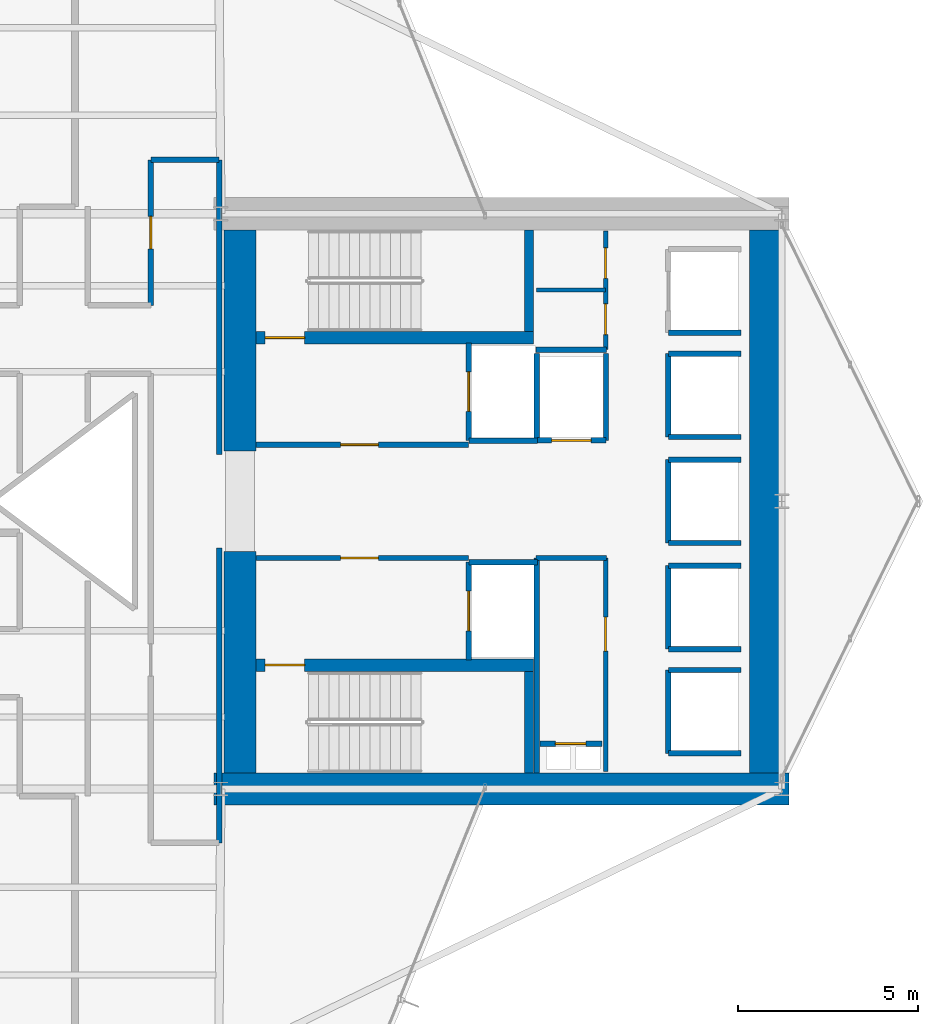
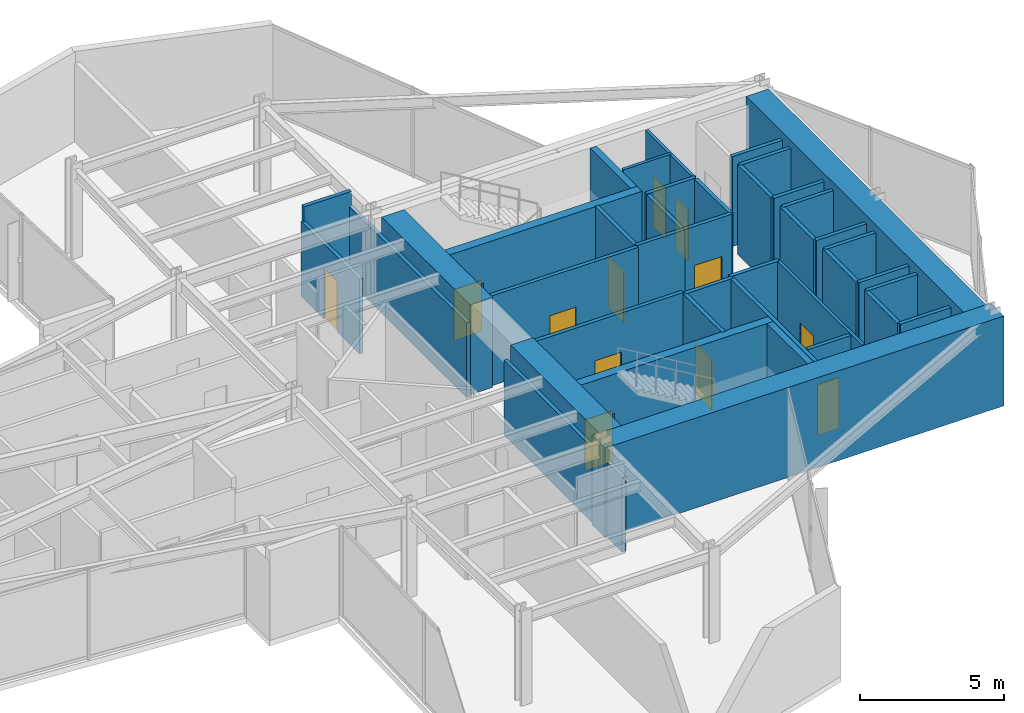
# One storey, part 27 of 29: 41 walls, 12 doors, 12 openings.
"""IFC4 building model written with IfcOpenShell, lengths in metres."""

from ifc_helpers import new_model, si_unit, direction, frame, frame_2d, origin, place, context, subcontext, project, spatial, rectangle, extrude, material, layer, layer_set, type_object, element, fill, save


model = new_model("IFC4")

# Units and contexts
model_context = context("Model", 3, precision=1e-05, world=origin(), true_north=direction((0.0, 1.0)))
body_context = subcontext(model_context, "Body", "Model", "MODEL_VIEW")
ifc_project = project(units=[si_unit("LENGTHUNIT", "METRE"), si_unit("AREAUNIT", "SQUARE_METRE"), si_unit("VOLUMEUNIT", "CUBIC_METRE"), si_unit("PLANEANGLEUNIT", "RADIAN"), si_unit("MASSUNIT", "GRAM", prefix="KILO")], contexts=[model_context])

# Site, building, storey
site_placement = place(None, origin())
site = spatial("IfcSite", under=ifc_project, at=site_placement, CompositionType="ELEMENT")
building_placement = place(site_placement, origin())
building = spatial("IfcBuilding", under=site, at=building_placement, Name="Veymaron Broadcast Tower", CompositionType="ELEMENT")
storey_placement = place(building_placement, frame((0.0, 0.0, 62.10009765625)))
storey = spatial("IfcBuildingStorey", under=building, at=storey_placement, Name="L13", CompositionType="ELEMENT", Elevation=62.10009765625)

# Wall, opening, door
ifc_material_1 = material(Name="Gypsum fireboard and steel stud framing", Category="steel")
ifc_layer_1 = layer(ifc_material_1, 0.14990234375)
ifc_layer_set_1 = layer_set([ifc_layer_1], Name="Gypsum fireboard and steel stud framing")
wall_type_1 = type_object("IfcWallType", Name="WALL-FIRE-150", PredefinedType="PARTITIONING", material=ifc_layer_set_1)
wall_1_placement = place(storey_placement, frame((39.97998046875, 25.574951171875, 0.0), z_axis=(0.0, 0.0, 1.0), x_axis=(1.0, 0.0, 0.0)))
wall_1 = element("IfcWall", 1, at=wall_1_placement, inside=storey, type_object=wall_type_1, Name="L13 partition IW-L13-FFLN-S", PredefinedType="PARTITIONING", context=body_context, shape_type="SweptSolid", body=[
    extrude(rectangle(XDim=5.89990234375, YDim=0.14990234375, at=frame_2d((2.949951171875, 0.0))), origin(), (0.0, 0.0, 1.0), 3.809814453125),
])
opening_1_placement = place(wall_1_placement, frame((2.35009765625, 0.0, 0.0)))
opening_1 = element("IfcOpeningElement", 2, at=opening_1_placement, cuts=wall_1, Name="Opening ID-FL1", PredefinedType="OPENING", context=body_context, shape_type="SweptSolid", body=[
    extrude(rectangle(XDim=1.050048828125, YDim=2.14990234375, at=frame_2d((0.52490234375, 1.074951171875))), frame((0.0, 0.0849609375, 0.0), z_axis=(0.0, -1.0, 0.0), x_axis=(1.0, 0.0, 0.0)), (0.0, 0.0, 1.0), 0.169921875),
])
ifc_material_2 = material(Name="Fire-rated painted hollow steel ASTM A653", Category="steel")
door_type_1 = type_object("IfcDoorType", Name="DOOR-FIRE-1050", OperationType="NOTDEFINED", PredefinedType="DOOR", material=ifc_material_2)
door_1_placement = place(opening_1_placement, origin())
door_1 = element("IfcDoor", 3, at=door_1_placement, inside=storey, type_object=door_type_1, Name="L13 door DR-L13-FFLN", OperationType="SINGLE_SWING_LEFT", OverallHeight=2.14990234375, OverallWidth=1.050048828125, PredefinedType="DOOR", context=body_context, shape_type="SweptSolid", body=[
    extrude(rectangle(XDim=1.050048828125, YDim=2.14990234375, at=frame_2d((0.52490234375, 1.074951171875))), frame((0.0, 0.02490234375, 0.0), z_axis=(0.0, -1.0, 0.0), x_axis=(1.0, 0.0, 0.0)), (0.0, 0.0, 1.0), 0.050048828125),
])
fill(opening_1, door_1)

wall_2_placement = place(storey_placement, frame((39.97998046875, 22.425048828125, 0.0), z_axis=(0.0, 0.0, 1.0), x_axis=(1.0, 0.0, 0.0)))
wall_2 = element("IfcWall", 4, at=wall_2_placement, inside=storey, type_object=wall_type_1, Name="L13 partition IW-L13-FFLS-N", PredefinedType="PARTITIONING", context=body_context, shape_type="SweptSolid", body=[
    extrude(rectangle(XDim=5.89990234375, YDim=0.14990234375, at=frame_2d((2.949951171875, 0.0))), origin(), (0.0, 0.0, 1.0), 3.809814453125),
])
opening_2_placement = place(wall_2_placement, frame((2.35009765625, 0.0, 0.0)))
opening_2 = element("IfcOpeningElement", 5, at=opening_2_placement, cuts=wall_2, Name="Opening ID-FL1", PredefinedType="OPENING", context=body_context, shape_type="SweptSolid", body=[
    extrude(rectangle(XDim=1.050048828125, YDim=2.14990234375, at=frame_2d((0.52490234375, 1.074951171875))), frame((0.0, 0.0849609375, 0.0), z_axis=(0.0, -1.0, 0.0), x_axis=(1.0, 0.0, 0.0)), (0.0, 0.0, 1.0), 0.169921875),
])
door_2_placement = place(opening_2_placement, frame((1.050048828125, 0.0, 0.0), z_axis=(0.0, 0.0, 1.0), x_axis=(-1.0, 0.0, 0.0)))
door_2 = element("IfcDoor", 6, at=door_2_placement, inside=storey, type_object=door_type_1, Name="L13 door DR-L13-FFLS", OperationType="SINGLE_SWING_RIGHT", OverallHeight=2.14990234375, OverallWidth=1.050048828125, PredefinedType="DOOR", context=body_context, shape_type="SweptSolid", body=[
    extrude(rectangle(XDim=1.050048828125, YDim=2.14990234375, at=frame_2d((0.52490234375, 1.074951171875))), frame((0.0, 0.02490234375, 0.0), z_axis=(0.0, -1.0, 0.0), x_axis=(1.0, 0.0, 0.0)), (0.0, 0.0, 1.0), 0.050048828125),
])
fill(opening_2, door_2)

wall_3_placement = place(storey_placement, frame((45.89501953125, 25.68994140625, 0.0), z_axis=(0.0, 0.0, 1.0), x_axis=(0.0, 1.0, 0.0)))
wall_3 = element("IfcWall", 7, at=wall_3_placement, inside=storey, type_object=wall_type_1, Name="L13 partition IW-L13-SHW-FFL-1", PredefinedType="PARTITIONING", context=body_context, shape_type="SweptSolid", body=[
    extrude(rectangle(XDim=2.719970703125, YDim=0.14990234375, at=frame_2d((1.35986328125, 0.0))), origin(), (0.0, 0.0, 1.0), 3.809814453125),
])
opening_3_placement = place(wall_3_placement, frame((0.81005859375, 0.0, 0.0)))
opening_3 = element("IfcOpeningElement", 8, at=opening_3_placement, cuts=wall_3, Name="Opening LD", PredefinedType="OPENING", context=body_context, shape_type="SweptSolid", body=[
    extrude(rectangle(XDim=1.10009765625, YDim=2.14990234375, at=frame_2d((0.550048828125, 1.074951171875))), frame((0.0, 0.0849609375, 0.0), z_axis=(0.0, -1.0, 0.0), x_axis=(1.0, 0.0, 0.0)), (0.0, 0.0, 1.0), 0.169921875),
])
ifc_material_3 = material(Name="Brushed stainless steel AISI 304", Category="steel")
door_type_2 = type_object("IfcDoorType", Name="DOOR-LIFT-1100", OperationType="DOUBLE_DOOR_SLIDING", PredefinedType="DOOR", material=ifc_material_3)
door_3_placement = place(opening_3_placement, frame((1.10009765625, 0.0, 0.0), z_axis=(0.0, 0.0, 1.0), x_axis=(-1.0, 0.0, 0.0)))
door_3 = element("IfcDoor", 9, at=door_3_placement, inside=storey, type_object=door_type_2, Name="L13 door LD-L13-FFL-1", OperationType="DOUBLE_DOOR_SLIDING", OverallHeight=2.14990234375, OverallWidth=1.10009765625, PredefinedType="DOOR", context=body_context, shape_type="SweptSolid", body=[
    extrude(rectangle(XDim=1.10009765625, YDim=2.14990234375, at=frame_2d((0.550048828125, 1.074951171875))), frame((0.0, 0.02490234375, 0.0), z_axis=(0.0, -1.0, 0.0), x_axis=(1.0, 0.0, 0.0)), (0.0, 0.0, 1.0), 0.050048828125),
])
fill(opening_3, door_3)

# Wall
wall_4_placement = place(storey_placement, frame((45.89501953125, 25.68994140625, 0.0), z_axis=(0.0, 0.0, 1.0), x_axis=(1.0, 0.0, 0.0)))
element("IfcWall", 10, at=wall_4_placement, inside=storey, type_object=wall_type_1, Name="L13 partition IW-L13-SHS-FFL-1", PredefinedType="PARTITIONING", context=body_context, shape_type="SweptSolid", body=[
    extrude(rectangle(XDim=1.9150390625, YDim=0.14990234375, at=frame_2d((0.95751953125, 0.0))), origin(), (0.0, 0.0, 1.0), 3.809814453125),
])

# Wall, opening, door
wall_5_placement = place(storey_placement, frame((45.89501953125, 19.590087890625, 0.0), z_axis=(0.0, 0.0, 1.0), x_axis=(0.0, 1.0, 0.0)))
wall_5 = element("IfcWall", 11, at=wall_5_placement, inside=storey, type_object=wall_type_1, Name="L13 partition IW-L13-SHW-FFL-2", PredefinedType="PARTITIONING", context=body_context, shape_type="SweptSolid", body=[
    extrude(rectangle(XDim=2.719970703125, YDim=0.14990234375, at=frame_2d((1.35986328125, 0.0))), origin(), (0.0, 0.0, 1.0), 3.809814453125),
])
opening_4_placement = place(wall_5_placement, frame((0.81005859375, 0.0, 0.0)))
opening_4 = element("IfcOpeningElement", 12, at=opening_4_placement, cuts=wall_5, Name="Opening LD", PredefinedType="OPENING", context=body_context, shape_type="SweptSolid", body=[
    extrude(rectangle(XDim=1.10009765625, YDim=2.14990234375, at=frame_2d((0.550048828125, 1.074951171875))), frame((0.0, 0.0849609375, 0.0), z_axis=(0.0, -1.0, 0.0), x_axis=(1.0, 0.0, 0.0)), (0.0, 0.0, 1.0), 0.169921875),
])
door_4_placement = place(opening_4_placement, frame((1.10009765625, 0.0, 0.0), z_axis=(0.0, 0.0, 1.0), x_axis=(-1.0, 0.0, 0.0)))
door_4 = element("IfcDoor", 13, at=door_4_placement, inside=storey, type_object=door_type_2, Name="L13 door LD-L13-FFL-2", OperationType="DOUBLE_DOOR_SLIDING", OverallHeight=2.14990234375, OverallWidth=1.10009765625, PredefinedType="DOOR", context=body_context, shape_type="SweptSolid", body=[
    extrude(rectangle(XDim=1.10009765625, YDim=2.14990234375, at=frame_2d((0.550048828125, 1.074951171875))), frame((0.0, 0.02490234375, 0.0), z_axis=(0.0, -1.0, 0.0), x_axis=(1.0, 0.0, 0.0)), (0.0, 0.0, 1.0), 0.050048828125),
])
fill(opening_4, door_4)

# Wall
wall_6_placement = place(storey_placement, frame((45.89501953125, 22.31005859375, 0.0), z_axis=(0.0, 0.0, 1.0), x_axis=(1.0, 0.0, 0.0)))
element("IfcWall", 14, at=wall_6_placement, inside=storey, type_object=wall_type_1, Name="L13 partition IW-L13-SHN-FFL-2", PredefinedType="PARTITIONING", context=body_context, shape_type="SweptSolid", body=[
    extrude(rectangle(XDim=1.9150390625, YDim=0.14990234375, at=frame_2d((0.95751953125, 0.0))), origin(), (0.0, 0.0, 1.0), 3.809814453125),
])

# Wall, opening, door
wall_7_placement = place(storey_placement, frame((47.7900390625, 25.695068359375, 0.0), z_axis=(0.0, 0.0, 1.0), x_axis=(1.0, 0.0, 0.0)))
wall_7 = element("IfcWall", 15, at=wall_7_placement, inside=storey, type_object=wall_type_1, Name="L13 partition IW-L13-SHS-SL-1", PredefinedType="PARTITIONING", context=body_context, shape_type="SweptSolid", body=[
    extrude(rectangle(XDim=1.919921875, YDim=0.14990234375, at=frame_2d((0.9599609375, 0.0))), origin(), (0.0, 0.0, 1.0), 3.809814453125),
])
opening_5_placement = place(wall_7_placement, frame((0.409912109375, 0.0, 0.0)))
opening_5 = element("IfcOpeningElement", 16, at=opening_5_placement, cuts=wall_7, Name="Opening LD", PredefinedType="OPENING", context=body_context, shape_type="SweptSolid", body=[
    extrude(rectangle(XDim=1.10009765625, YDim=2.14990234375, at=frame_2d((0.550048828125, 1.074951171875))), frame((0.0, 0.0849609375, 0.0), z_axis=(0.0, -1.0, 0.0), x_axis=(1.0, 0.0, 0.0)), (0.0, 0.0, 1.0), 0.169921875),
])
door_5_placement = place(opening_5_placement, frame((1.10009765625, 0.0, 0.0), z_axis=(0.0, 0.0, 1.0), x_axis=(-1.0, 0.0, 0.0)))
door_5 = element("IfcDoor", 17, at=door_5_placement, inside=storey, type_object=door_type_2, Name="L13 door LD-L13-SL-1", OperationType="DOUBLE_DOOR_SLIDING", OverallHeight=2.14990234375, OverallWidth=1.10009765625, PredefinedType="DOOR", context=body_context, shape_type="SweptSolid", body=[
    extrude(rectangle(XDim=1.10009765625, YDim=2.14990234375, at=frame_2d((0.550048828125, 1.074951171875))), frame((0.0, 0.02490234375, 0.0), z_axis=(0.0, -1.0, 0.0), x_axis=(1.0, 0.0, 0.0)), (0.0, 0.0, 1.0), 0.050048828125),
])
fill(opening_5, door_5)

# Walls
for number, where, z_axis, x_axis, name in (
    (18, (47.7900390625, 25.695068359375, 0.0), (0.0, 0.0, 1.0), (0.0, 1.0, 0.0), "L13 partition IW-L13-SHW-SL-1"),
    (19, (49.7099609375, 25.695068359375, 0.0), (0.0, 0.0, 1.0), (0.0, 1.0, 0.0), "L13 partition IW-L13-SHE-SL-1"),
):
    element("IfcWall", number, at=place(storey_placement, frame(where, z_axis=z_axis, x_axis=x_axis)), inside=storey, type_object=wall_type_1, Name=name, PredefinedType="PARTITIONING", context=body_context, shape_type="SweptSolid", body=[
        extrude(rectangle(XDim=2.4150390625, YDim=0.14990234375, at=frame_2d((1.20751953125, 0.0))), origin(), (0.0, 0.0, 1.0), 3.809814453125),
    ])
wall_8_placement = place(storey_placement, frame((51.445068359375, 28.68994140625, 0.0), z_axis=(0.0, 0.0, 1.0), x_axis=(1.0, 0.0, 0.0)))
element("IfcWall", 20, at=wall_8_placement, inside=storey, type_object=wall_type_1, Name="L13 partition IW-L13-SHS-PL1", PredefinedType="PARTITIONING", context=body_context, shape_type="SweptSolid", body=[
    extrude(rectangle(XDim=2.014892578125, YDim=0.14990234375, at=frame_2d((1.00732421875, 0.0))), origin(), (0.0, 0.0, 1.0), 3.809814453125),
])
wall_9_placement = place(storey_placement, frame((51.445068359375, 25.7900390625, 0.0), z_axis=(0.0, 0.0, 1.0), x_axis=(0.0, 1.0, 0.0)))
element("IfcWall", 21, at=wall_9_placement, inside=storey, type_object=wall_type_1, Name="L13 partition IW-L13-SHW-PM1", PredefinedType="PARTITIONING", context=body_context, shape_type="SweptSolid", body=[
    extrude(rectangle(XDim=2.320068359375, YDim=0.14990234375, at=frame_2d((1.16015625, 0.0))), origin(), (0.0, 0.0, 1.0), 3.809814453125),
])
for number, where, z_axis, x_axis, name in (
    (22, (51.445068359375, 25.7900390625, 0.0), (0.0, 0.0, 1.0), (1.0, 0.0, 0.0), "L13 partition IW-L13-SHS-PM1"),
    (23, (51.445068359375, 28.110107421875, 0.0), (0.0, 0.0, 1.0), (1.0, 0.0, 0.0), "L13 partition IW-L13-SHN-PM1"),
):
    element("IfcWall", number, at=place(storey_placement, frame(where, z_axis=z_axis, x_axis=x_axis)), inside=storey, type_object=wall_type_1, Name=name, PredefinedType="PARTITIONING", context=body_context, shape_type="SweptSolid", body=[
        extrude(rectangle(XDim=2.014892578125, YDim=0.14990234375, at=frame_2d((1.00732421875, 0.0))), origin(), (0.0, 0.0, 1.0), 3.809814453125),
    ])
wall_10_placement = place(storey_placement, frame((51.445068359375, 19.889892578125, 0.0), z_axis=(0.0, 0.0, 1.0), x_axis=(0.0, 1.0, 0.0)))
element("IfcWall", 24, at=wall_10_placement, inside=storey, type_object=wall_type_1, Name="L13 partition IW-L13-SHW-PM2", PredefinedType="PARTITIONING", context=body_context, shape_type="SweptSolid", body=[
    extrude(rectangle(XDim=2.320068359375, YDim=0.14990234375, at=frame_2d((1.16015625, 0.0))), origin(), (0.0, 0.0, 1.0), 3.809814453125),
])
for number, where, z_axis, x_axis, name in (
    (25, (51.445068359375, 19.889892578125, 0.0), (0.0, 0.0, 1.0), (1.0, 0.0, 0.0), "L13 partition IW-L13-SHS-PM2"),
    (26, (51.445068359375, 22.2099609375, 0.0), (0.0, 0.0, 1.0), (1.0, 0.0, 0.0), "L13 partition IW-L13-SHN-PM2"),
):
    element("IfcWall", number, at=place(storey_placement, frame(where, z_axis=z_axis, x_axis=x_axis)), inside=storey, type_object=wall_type_1, Name=name, PredefinedType="PARTITIONING", context=body_context, shape_type="SweptSolid", body=[
        extrude(rectangle(XDim=2.014892578125, YDim=0.14990234375, at=frame_2d((1.00732421875, 0.0))), origin(), (0.0, 0.0, 1.0), 3.809814453125),
    ])
wall_11_placement = place(storey_placement, frame((51.445068359375, 22.840087890625, 0.0), z_axis=(0.0, 0.0, 1.0), x_axis=(0.0, 1.0, 0.0)))
element("IfcWall", 27, at=wall_11_placement, inside=storey, type_object=wall_type_1, Name="L13 partition IW-L13-SHW-PM3", PredefinedType="PARTITIONING", context=body_context, shape_type="SweptSolid", body=[
    extrude(rectangle(XDim=2.31982421875, YDim=0.14990234375, at=frame_2d((1.159912109375, 0.0))), origin(), (0.0, 0.0, 1.0), 3.809814453125),
])
for number, where, z_axis, x_axis, name in (
    (28, (51.445068359375, 22.840087890625, 0.0), (0.0, 0.0, 1.0), (1.0, 0.0, 0.0), "L13 partition IW-L13-SHS-PM3"),
    (29, (51.445068359375, 25.159912109375, 0.0), (0.0, 0.0, 1.0), (1.0, 0.0, 0.0), "L13 partition IW-L13-SHN-PM3"),
):
    element("IfcWall", number, at=place(storey_placement, frame(where, z_axis=z_axis, x_axis=x_axis)), inside=storey, type_object=wall_type_1, Name=name, PredefinedType="PARTITIONING", context=body_context, shape_type="SweptSolid", body=[
        extrude(rectangle(XDim=2.014892578125, YDim=0.14990234375, at=frame_2d((1.00732421875, 0.0))), origin(), (0.0, 0.0, 1.0), 3.809814453125),
    ])
wall_12_placement = place(storey_placement, frame((51.445068359375, 16.989990234375, 0.0), z_axis=(0.0, 0.0, 1.0), x_axis=(0.0, 1.0, 0.0)))
element("IfcWall", 30, at=wall_12_placement, inside=storey, type_object=wall_type_1, Name="L13 partition IW-L13-SHW-PH1", PredefinedType="PARTITIONING", context=body_context, shape_type="SweptSolid", body=[
    extrude(rectangle(XDim=2.320068359375, YDim=0.14990234375, at=frame_2d((1.16015625, 0.0))), origin(), (0.0, 0.0, 1.0), 3.809814453125),
])
for number, where, z_axis, x_axis, name in (
    (31, (51.445068359375, 16.989990234375, 0.0), (0.0, 0.0, 1.0), (1.0, 0.0, 0.0), "L13 partition IW-L13-SHS-PH1"),
    (32, (51.445068359375, 19.31005859375, 0.0), (0.0, 0.0, 1.0), (1.0, 0.0, 0.0), "L13 partition IW-L13-SHN-PH1"),
):
    element("IfcWall", number, at=place(storey_placement, frame(where, z_axis=z_axis, x_axis=x_axis)), inside=storey, type_object=wall_type_1, Name=name, PredefinedType="PARTITIONING", context=body_context, shape_type="SweptSolid", body=[
        extrude(rectangle(XDim=2.014892578125, YDim=0.14990234375, at=frame_2d((1.00732421875, 0.0))), origin(), (0.0, 0.0, 1.0), 3.809814453125),
    ])

# Wall, opening, door
wall_13_placement = place(storey_placement, frame((47.8798828125, 17.260009765625, 0.0), z_axis=(0.0, 0.0, 1.0), x_axis=(1.0, 0.0, 0.0)))
wall_13 = element("IfcWall", 33, at=wall_13_placement, inside=storey, type_object=wall_type_1, Name="L13 partition IW-L13-RIS-N", PredefinedType="PARTITIONING", context=body_context, shape_type="SweptSolid", body=[
    extrude(rectangle(XDim=1.72021484375, YDim=0.14990234375, at=frame_2d((0.860107421875, 0.0))), origin(), (0.0, 0.0, 1.0), 3.809814453125),
])
opening_6_placement = place(wall_13_placement, frame((0.419921875, 0.0, 0.0)))
opening_6 = element("IfcOpeningElement", 34, at=opening_6_placement, cuts=wall_13, Name="Opening ID-RS1", PredefinedType="OPENING", context=body_context, shape_type="SweptSolid", body=[
    extrude(rectangle(XDim=0.85009765625, YDim=2.14990234375, at=frame_2d((0.425048828125, 1.074951171875))), frame((0.0, 0.0849609375, 0.0), z_axis=(0.0, -1.0, 0.0), x_axis=(1.0, 0.0, 0.0)), (0.0, 0.0, 1.0), 0.169921875),
])
ifc_material_4 = material(Name="Fire-rated powder-coated steel riser leaf", Category="steel")
door_type_3 = type_object("IfcDoorType", Name="DOOR-RIS-850", OperationType="NOTDEFINED", PredefinedType="TRAPDOOR", material=ifc_material_4)
door_6_placement = place(opening_6_placement, origin())
door_6 = element("IfcDoor", 35, at=door_6_placement, inside=storey, type_object=door_type_3, Name="L13 door DR-L13-RIS", OperationType="SINGLE_SWING_LEFT", OverallHeight=2.14990234375, OverallWidth=0.85009765625, PredefinedType="TRAPDOOR", context=body_context, shape_type="SweptSolid", body=[
    extrude(rectangle(XDim=0.85009765625, YDim=2.14990234375, at=frame_2d((0.425048828125, 1.074951171875))), frame((0.0, 0.02490234375, 0.0), z_axis=(0.0, -1.0, 0.0), x_axis=(1.0, 0.0, 0.0)), (0.0, 0.0, 1.0), 0.050048828125),
])
fill(opening_6, door_6)

# Walls
wall_14_placement = place(storey_placement, frame((47.760009765625, 22.425048828125, 0.0), z_axis=(0.0, 0.0, 1.0), x_axis=(1.0, 0.0, 0.0)))
element("IfcWall", 36, at=wall_14_placement, inside=storey, type_object=wall_type_1, Name="L13 partition IW-L13-SM-N", PredefinedType="PARTITIONING", context=body_context, shape_type="SweptSolid", body=[
    extrude(rectangle(XDim=1.9599609375, YDim=0.14990234375, at=frame_2d((0.97998046875, 0.0))), origin(), (0.0, 0.0, 1.0), 3.809814453125),
])
wall_15_placement = place(storey_placement, frame((47.780029296875, 16.449951171875, 0.0), z_axis=(0.0, 0.0, 1.0), x_axis=(0.0, 1.0, 0.0)))
element("IfcWall", 37, at=wall_15_placement, inside=storey, type_object=wall_type_1, Name="L13 partition IW-L13-SM-W", PredefinedType="PARTITIONING", context=body_context, shape_type="SweptSolid", body=[
    extrude(rectangle(XDim=5.97509765625, YDim=0.14990234375, at=frame_2d((2.987548828125, 0.0))), origin(), (0.0, 0.0, 1.0), 3.809814453125),
])
wall_16_placement = place(storey_placement, frame((47.760009765625, 28.219970703125, 0.0), z_axis=(0.0, 0.0, 1.0), x_axis=(1.0, 0.0, 0.0)))
element("IfcWall", 38, at=wall_16_placement, inside=storey, type_object=wall_type_1, Name="L13 partition IW-L13-NM-S", PredefinedType="PARTITIONING", context=body_context, shape_type="SweptSolid", body=[
    extrude(rectangle(XDim=1.9599609375, YDim=0.14990234375, at=frame_2d((0.97998046875, 0.0))), origin(), (0.0, 0.0, 1.0), 3.809814453125),
])

# Wall, opening, door
wall_17_placement = place(storey_placement, frame((37.050048828125, 29.449951171875, 0.0), z_axis=(0.0, 0.0, 1.0), x_axis=(0.0, 1.0, 0.0)))
wall_17 = element("IfcWall", 39, at=wall_17_placement, inside=storey, type_object=wall_type_1, Name="L13 partition IW-L13-P30", PredefinedType="PARTITIONING", context=body_context, shape_type="SweptSolid", body=[
    extrude(rectangle(XDim=4.050048828125, YDim=0.14990234375, at=frame_2d((2.02490234375, 0.0))), origin(), (0.0, 0.0, 1.0), 3.180908203125),
])
opening_7_placement = place(wall_17_placement, frame((1.574951171875, 0.0, 0.0)))
opening_7 = element("IfcOpeningElement", 40, at=opening_7_placement, cuts=wall_17, Name="Opening ID-RM2", PredefinedType="OPENING", context=body_context, shape_type="SweptSolid", body=[
    extrude(rectangle(XDim=0.89990234375, YDim=2.14990234375, at=frame_2d((0.449951171875, 1.074951171875))), frame((0.0, 0.0849609375, 0.0), z_axis=(0.0, -1.0, 0.0), x_axis=(1.0, 0.0, 0.0)), (0.0, 0.0, 1.0), 0.169921875),
])
ifc_material_5 = material(Name="Acoustic solid-core European oak veneer timber", Category="wood")
door_type_4 = type_object("IfcDoorType", Name="DOOR-INT-900", OperationType="NOTDEFINED", PredefinedType="DOOR", material=ifc_material_5)
door_7_placement = place(opening_7_placement, origin())
door_7 = element("IfcDoor", 41, at=door_7_placement, inside=storey, type_object=door_type_4, Name="L13 door DR-L13-P30", OperationType="SINGLE_SWING_LEFT", OverallHeight=2.14990234375, OverallWidth=0.89990234375, PredefinedType="DOOR", context=body_context, shape_type="SweptSolid", body=[
    extrude(rectangle(XDim=0.89990234375, YDim=2.14990234375, at=frame_2d((0.449951171875, 1.074951171875))), frame((0.0, 0.02490234375, 0.0), z_axis=(0.0, -1.0, 0.0), x_axis=(1.0, 0.0, 0.0)), (0.0, 0.0, 1.0), 0.050048828125),
])
fill(opening_7, door_7)

# Walls
for number, where, z_axis, x_axis, name in (
    (42, (38.949951171875, 14.5, 0.0), (0.0, 0.0, 1.0), (0.0, 1.0, 0.0), "L13 partition IW-L13-P05"),
    (43, (38.949951171875, 25.300048828125, 0.0), (0.0, 0.0, 1.0), (0.0, 1.0, 0.0), "L13 partition IW-L13-P29"),
):
    element("IfcWall", number, at=place(storey_placement, frame(where, z_axis=z_axis, x_axis=x_axis)), inside=storey, type_object=wall_type_1, Name=name, PredefinedType="PARTITIONING", context=body_context, shape_type="SweptSolid", body=[
        extrude(rectangle(XDim=8.199951171875, YDim=0.14990234375, at=frame_2d((4.10009765625, 0.0))), origin(), (0.0, 0.0, 1.0), 3.180908203125),
    ])
wall_18_placement = place(storey_placement, frame((37.050048828125, 33.5, 0.0), z_axis=(0.0, 0.0, 1.0), x_axis=(1.0, 0.0, 0.0)))
element("IfcWall", 44, at=wall_18_placement, inside=storey, type_object=wall_type_1, Name="L13 partition IW-L13-P32", PredefinedType="PARTITIONING", context=body_context, shape_type="SweptSolid", body=[
    extrude(rectangle(XDim=1.89990234375, YDim=0.14990234375, at=frame_2d((0.949951171875, 0.0))), origin(), (0.0, 0.0, 1.0), 3.809814453125),
])

# Wall, opening, door
ifc_material_6 = material(Name="Acoustic gypsum board and galvanized stud", Category="gypsum")
ifc_layer_2 = layer(ifc_material_6, 0.1201171875)
ifc_layer_set_2 = layer_set([ifc_layer_2], Name="Acoustic gypsum board and galvanized stud")
wall_type_2 = type_object("IfcWallType", Name="WALL-PART-120", PredefinedType="PARTITIONING", material=ifc_layer_set_2)
wall_19_placement = place(storey_placement, frame((49.699951171875, 16.47998046875, 0.0), z_axis=(0.0, 0.0, 1.0), x_axis=(0.0, 1.0, 0.0)))
wall_19 = element("IfcWall", 45, at=wall_19_placement, inside=storey, type_object=wall_type_2, Name="L13 partition IW-L13-SM-E", PredefinedType="PARTITIONING", context=body_context, shape_type="SweptSolid", body=[
    extrude(rectangle(XDim=5.945068359375, YDim=0.1201171875, at=frame_2d((2.97265625, 0.0))), origin(), (0.0, 0.0, 1.0), 3.809814453125),
])
opening_8_placement = place(wall_19_placement, frame((3.35009765625, 0.0, 0.0)))
opening_8 = element("IfcOpeningElement", 46, at=opening_8_placement, cuts=wall_19, Name="Opening ID-RM1", PredefinedType="OPENING", context=body_context, shape_type="SweptSolid", body=[
    extrude(rectangle(XDim=0.949951171875, YDim=2.14990234375, at=frame_2d((0.47509765625, 1.074951171875))), frame((0.0, 0.070068359375, 0.0), z_axis=(0.0, -1.0, 0.0), x_axis=(1.0, 0.0, 0.0)), (0.0, 0.0, 1.0), 0.14013671875),
])
door_type_5 = type_object("IfcDoorType", Name="DOOR-INT-950", OperationType="NOTDEFINED", PredefinedType="DOOR", material=ifc_material_5)
door_8_placement = place(opening_8_placement, frame((0.949951171875, 0.0, 0.0), z_axis=(0.0, 0.0, 1.0), x_axis=(-1.0, 0.0, 0.0)))
door_8 = element("IfcDoor", 47, at=door_8_placement, inside=storey, type_object=door_type_5, Name="L13 door DR-L13-AWC", OperationType="SINGLE_SWING_LEFT", OverallHeight=2.14990234375, OverallWidth=0.949951171875, PredefinedType="DOOR", context=body_context, shape_type="SweptSolid", body=[
    extrude(rectangle(XDim=0.949951171875, YDim=2.14990234375, at=frame_2d((0.47509765625, 1.074951171875))), frame((0.0, 0.02490234375, 0.0), z_axis=(0.0, -1.0, 0.0), x_axis=(1.0, 0.0, 0.0)), (0.0, 0.0, 1.0), 0.050048828125),
])
fill(opening_8, door_8)

# Wall
wall_20_placement = place(storey_placement, frame((47.780029296875, 29.8798828125, 0.0), z_axis=(0.0, 0.0, 1.0), x_axis=(1.0, 0.0, 0.0)))
element("IfcWall", 48, at=wall_20_placement, inside=storey, type_object=wall_type_2, Name="L13 partition IW-L13-NM-M", PredefinedType="PARTITIONING", context=body_context, shape_type="SweptSolid", body=[
    extrude(rectangle(XDim=1.919921875, YDim=0.1201171875, at=frame_2d((0.9599609375, 0.0))), origin(), (0.0, 0.0, 1.0), 3.809814453125),
])

# Wall, openings, doors
wall_21_placement = place(storey_placement, frame((49.699951171875, 28.219970703125, 0.0), z_axis=(0.0, 0.0, 1.0), x_axis=(0.0, 1.0, 0.0)))
wall_21 = element("IfcWall", 49, at=wall_21_placement, inside=storey, type_object=wall_type_2, Name="L13 partition IW-L13-NM-E", PredefinedType="PARTITIONING", context=body_context, shape_type="SweptSolid", body=[
    extrude(rectangle(XDim=3.300048828125, YDim=0.1201171875, at=frame_2d((1.64990234375, 0.0))), origin(), (0.0, 0.0, 1.0), 3.809814453125),
])
opening_9_placement = place(wall_21_placement, frame((0.419921875, 0.0, 0.0)))
opening_9 = element("IfcOpeningElement", 50, at=opening_9_placement, cuts=wall_21, Name="Opening ID-WC1", PredefinedType="OPENING", context=body_context, shape_type="SweptSolid", body=[
    extrude(rectangle(XDim=0.85009765625, YDim=2.14990234375, at=frame_2d((0.425048828125, 1.074951171875))), frame((0.0, 0.070068359375, 0.0), z_axis=(0.0, -1.0, 0.0), x_axis=(1.0, 0.0, 0.0)), (0.0, 0.0, 1.0), 0.14013671875),
])
opening_10_placement = place(wall_21_placement, frame((1.97998046875, 0.0, 0.0)))
opening_10 = element("IfcOpeningElement", 51, at=opening_10_placement, cuts=wall_21, Name="Opening ID-WC1", PredefinedType="OPENING", context=body_context, shape_type="SweptSolid", body=[
    extrude(rectangle(XDim=0.85009765625, YDim=2.14990234375, at=frame_2d((0.425048828125, 1.074951171875))), frame((0.0, 0.070068359375, 0.0), z_axis=(0.0, -1.0, 0.0), x_axis=(1.0, 0.0, 0.0)), (0.0, 0.0, 1.0), 0.14013671875),
])
ifc_material_7 = material(Name="Moisture-resistant high-pressure laminate timber", Category="wood")
door_type_6 = type_object("IfcDoorType", Name="DOOR-INT-850", OperationType="NOTDEFINED", PredefinedType="DOOR", material=ifc_material_7)
door_9_placement = place(opening_9_placement, frame((0.85009765625, 0.0, 0.0), z_axis=(0.0, 0.0, 1.0), x_axis=(-1.0, 0.0, 0.0)))
door_9 = element("IfcDoor", 52, at=door_9_placement, inside=storey, type_object=door_type_6, Name="L13 door DR-L13-NMA", OperationType="SINGLE_SWING_LEFT", OverallHeight=2.14990234375, OverallWidth=0.85009765625, PredefinedType="DOOR", context=body_context, shape_type="SweptSolid", body=[
    extrude(rectangle(XDim=0.85009765625, YDim=2.14990234375, at=frame_2d((0.425048828125, 1.074951171875))), frame((0.0, 0.02490234375, 0.0), z_axis=(0.0, -1.0, 0.0), x_axis=(1.0, 0.0, 0.0)), (0.0, 0.0, 1.0), 0.050048828125),
])
fill(opening_9, door_9)
door_10_placement = place(opening_10_placement, frame((0.85009765625, 0.0, 0.0), z_axis=(0.0, 0.0, 1.0), x_axis=(-1.0, 0.0, 0.0)))
door_10 = element("IfcDoor", 53, at=door_10_placement, inside=storey, type_object=door_type_6, Name="L13 door DR-L13-NMB", OperationType="SINGLE_SWING_RIGHT", OverallHeight=2.14990234375, OverallWidth=0.85009765625, PredefinedType="DOOR", context=body_context, shape_type="SweptSolid", body=[
    extrude(rectangle(XDim=0.85009765625, YDim=2.14990234375, at=frame_2d((0.425048828125, 1.074951171875))), frame((0.0, 0.02490234375, 0.0), z_axis=(0.0, -1.0, 0.0), x_axis=(1.0, 0.0, 0.0)), (0.0, 0.0, 1.0), 0.050048828125),
])
fill(opening_10, door_10)

# Walls
ifc_material_8 = material(Name="Concrete C50/60", Category="concrete")
ifc_layer_3 = layer(ifc_material_8, 0.25)
ifc_layer_set_3 = layer_set([ifc_layer_3], Name="Concrete C50/60")
wall_type_3 = type_object("IfcWallType", Name="WALL-SHEAR-250", PredefinedType="SHEAR", material=ifc_layer_set_3)
for number, where, z_axis, x_axis, name in (
    (54, (47.56494140625, 28.72998046875, 0.0), (0.0, 0.0, 1.0), (0.0, 1.0, 0.0), "L13 Core Wall north stair east shear"),
    (55, (47.56494140625, 16.449951171875, 0.0), (0.0, 0.0, 1.0), (0.0, 1.0, 0.0), "L13 Core Wall south stair east shear"),
):
    element("IfcWall", number, at=place(storey_placement, frame(where, z_axis=z_axis, x_axis=x_axis)), inside=storey, type_object=wall_type_3, Name=name, PredefinedType="SHEAR", context=body_context, shape_type="SweptSolid", body=[
        extrude(rectangle(XDim=2.820068359375, YDim=0.25, at=frame_2d((1.41015625, 0.0))), origin(), (0.0, 0.0, 1.0), 3.809814453125),
    ])

# Wall, opening, door
ifc_layer_4 = layer(ifc_material_8, 0.35009765625)
ifc_layer_set_4 = layer_set([ifc_layer_4], Name="Concrete C50/60")
wall_type_4 = type_object("IfcWallType", Name="WALL-SHEAR-350", PredefinedType="SHEAR", material=ifc_layer_set_4)
wall_22_placement = place(storey_placement, frame((39.97998046875, 28.554931640625, 0.0), z_axis=(0.0, 0.0, 1.0), x_axis=(1.0, 0.0, 0.0)))
wall_22 = element("IfcWall", 56, at=wall_22_placement, inside=storey, type_object=wall_type_4, Name="L13 Core Wall north stair spine", PredefinedType="SHEAR", context=body_context, shape_type="SweptSolid", body=[
    extrude(rectangle(XDim=7.7099609375, YDim=0.35009765625, at=frame_2d((3.85498046875, 0.0))), origin(), (0.0, 0.0, 1.0), 3.809814453125),
])
opening_11_placement = place(wall_22_placement, frame((0.25, 0.0, 0.0)))
opening_11 = element("IfcOpeningElement", 57, at=opening_11_placement, cuts=wall_22, Name="Opening ID-ST1", PredefinedType="OPENING", context=body_context, shape_type="SweptSolid", body=[
    extrude(rectangle(XDim=1.10009765625, YDim=2.14990234375, at=frame_2d((0.550048828125, 1.074951171875))), frame((0.0, 0.18505859375, 0.0), z_axis=(0.0, -1.0, 0.0), x_axis=(1.0, 0.0, 0.0)), (0.0, 0.0, 1.0), 0.3701171875),
])
door_type_7 = type_object("IfcDoorType", Name="DOOR-STAIR-1100", OperationType="NOTDEFINED", PredefinedType="DOOR", material=ifc_material_2)
door_11_placement = place(opening_11_placement, origin())
door_11 = element("IfcDoor", 58, at=door_11_placement, inside=storey, type_object=door_type_7, Name="L13 exit stair ST1 fire door", OperationType="SINGLE_SWING_RIGHT", OverallHeight=2.14990234375, OverallWidth=1.10009765625, PredefinedType="DOOR", context=body_context, shape_type="SweptSolid", body=[
    extrude(rectangle(XDim=1.10009765625, YDim=2.14990234375, at=frame_2d((0.550048828125, 1.074951171875))), frame((0.0, 0.02490234375, 0.0), z_axis=(0.0, -1.0, 0.0), x_axis=(1.0, 0.0, 0.0)), (0.0, 0.0, 1.0), 0.050048828125),
])
fill(opening_11, door_11)

wall_23_placement = place(storey_placement, frame((39.97998046875, 19.445068359375, 0.0), z_axis=(0.0, 0.0, 1.0), x_axis=(1.0, 0.0, 0.0)))
wall_23 = element("IfcWall", 59, at=wall_23_placement, inside=storey, type_object=wall_type_4, Name="L13 Core Wall south stair spine", PredefinedType="SHEAR", context=body_context, shape_type="SweptSolid", body=[
    extrude(rectangle(XDim=7.7099609375, YDim=0.35009765625, at=frame_2d((3.85498046875, 0.0))), origin(), (0.0, 0.0, 1.0), 3.809814453125),
])
opening_12_placement = place(wall_23_placement, frame((0.25, 0.0, 0.0)))
opening_12 = element("IfcOpeningElement", 60, at=opening_12_placement, cuts=wall_23, Name="Opening ID-ST1", PredefinedType="OPENING", context=body_context, shape_type="SweptSolid", body=[
    extrude(rectangle(XDim=1.10009765625, YDim=2.14990234375, at=frame_2d((0.550048828125, 1.074951171875))), frame((0.0, 0.18505859375, 0.0), z_axis=(0.0, -1.0, 0.0), x_axis=(1.0, 0.0, 0.0)), (0.0, 0.0, 1.0), 0.3701171875),
])
door_12_placement = place(opening_12_placement, frame((1.10009765625, 0.0, 0.0), z_axis=(0.0, 0.0, 1.0), x_axis=(-1.0, 0.0, 0.0)))
door_12 = element("IfcDoor", 61, at=door_12_placement, inside=storey, type_object=door_type_7, Name="L13 exit stair ST2 fire door", OperationType="SINGLE_SWING_LEFT", OverallHeight=2.14990234375, OverallWidth=1.10009765625, PredefinedType="DOOR", context=body_context, shape_type="SweptSolid", body=[
    extrude(rectangle(XDim=1.10009765625, YDim=2.14990234375, at=frame_2d((0.550048828125, 1.074951171875))), frame((0.0, 0.02490234375, 0.0), z_axis=(0.0, -1.0, 0.0), x_axis=(1.0, 0.0, 0.0)), (0.0, 0.0, 1.0), 0.050048828125),
])
fill(opening_12, door_12)

# Walls
ifc_material_9 = material(Name="Concrete C70/85", Category="concrete")
ifc_layer_5 = layer(ifc_material_9, 0.89990234375)
ifc_layer_set_5 = layer_set([ifc_layer_5], Name="Concrete C70/85")
wall_type_5 = type_object("IfcWallType", Name="WALL-SHEAR-900", PredefinedType="SHEAR", material=ifc_layer_set_5)
wall_24_placement = place(storey_placement, frame((38.800048828125, 16.0, 0.0), z_axis=(0.0, 0.0, 1.0), x_axis=(1.0, 0.0, 0.0)))
element("IfcWall", 62, at=wall_24_placement, inside=storey, type_object=wall_type_5, Name="L13 Core Wall south shear", PredefinedType="SHEAR", context=body_context, shape_type="SweptSolid", body=[
    extrude(rectangle(XDim=16.0, YDim=0.89990234375, at=frame_2d((8.0, 0.0))), origin(), (0.0, 0.0, 1.0), 3.809814453125),
])
for number, where, z_axis, x_axis, name in (
    (63, (39.530029296875, 16.449951171875, 0.0), (0.0, 0.0, 1.0), (0.0, 1.0, 0.0), "L13 Core Wall west-south shear"),
    (64, (39.530029296875, 25.39990234375, 0.0), (0.0, 0.0, 1.0), (0.0, 1.0, 0.0), "L13 Core Wall west-north shear"),
):
    element("IfcWall", number, at=place(storey_placement, frame(where, z_axis=z_axis, x_axis=x_axis)), inside=storey, type_object=wall_type_5, Name=name, PredefinedType="SHEAR", context=body_context, shape_type="SweptSolid", body=[
        extrude(rectangle(XDim=6.150146484375, YDim=0.89990234375, at=frame_2d((3.0751953125, 0.0))), origin(), (0.0, 0.0, 1.0), 3.809814453125),
    ])
wall_25_placement = place(storey_placement, frame((54.14990234375, 16.449951171875, 0.0), z_axis=(0.0, 0.0, 1.0), x_axis=(0.0, 1.0, 0.0)))
element("IfcWall", 65, at=wall_25_placement, inside=storey, type_object=wall_type_5, Name="L13 Core Wall east shear", PredefinedType="SHEAR", context=body_context, shape_type="SweptSolid", body=[
    extrude(rectangle(XDim=15.10009765625, YDim=0.89990234375, at=frame_2d((7.550048828125, 0.0))), origin(), (0.0, 0.0, 1.0), 3.809814453125),
])

save(model, "model.ifc")
